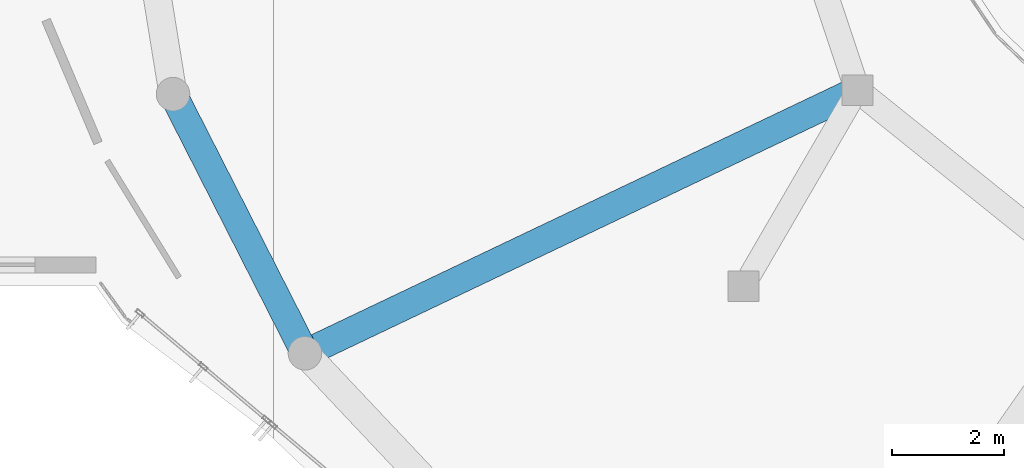
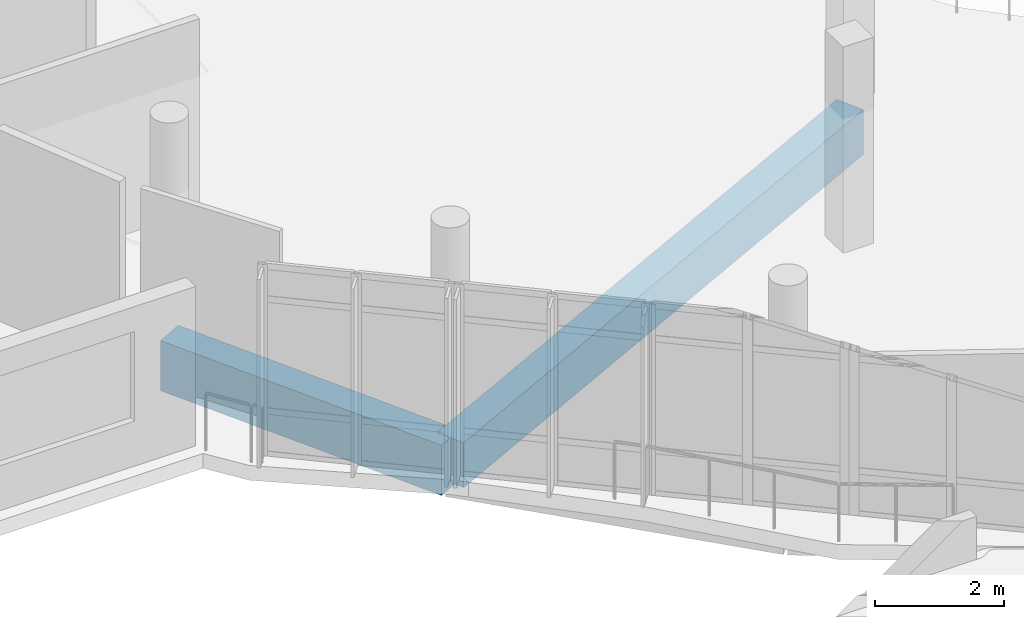
# One storey, part 8 of 74: 2 beams.
"""IFC4 building model written with IfcOpenShell, lengths in metres."""

from ifc_helpers import new_model, si_unit, derived_unit, direction, frame, origin, origin_2d, place, context, subcontext, project, spatial, rectangle, extrude, material, material_profile, profile_set, type_object, element, save


model = new_model("IFC4")

# Units and contexts
model_context = context("Model", 3, precision=1e-05, world=origin(), true_north=direction((0.0, 1.0)))
body_context = subcontext(model_context, "Body", "Model", "MODEL_VIEW")
ifc_project = project(units=[si_unit("LENGTHUNIT", "METRE"), si_unit("AREAUNIT", "SQUARE_METRE"), si_unit("VOLUMEUNIT", "CUBIC_METRE"), si_unit("PLANEANGLEUNIT", "RADIAN"), si_unit("MASSUNIT", "GRAM", prefix="KILO"), derived_unit("THERMALTRANSMITTANCEUNIT", [(si_unit("POWERUNIT", "WATT"), 1), (si_unit("LENGTHUNIT", "METRE"), -2), (si_unit("THERMODYNAMICTEMPERATUREUNIT", "KELVIN"), -1)])], contexts=[model_context])

# Site, building, storey
site_placement = place(None, origin())
site = spatial("IfcSite", under=ifc_project, at=site_placement, CompositionType="ELEMENT")
building_placement = place(site_placement, origin())
building = spatial("IfcBuilding", under=site, at=building_placement, Name="Elbkamm Science Centre", CompositionType="ELEMENT")
storey_placement = place(building_placement, frame((0.0, 0.0, 14.39990234375)))
storey = spatial("IfcBuildingStorey", under=building, at=storey_placement, Name="L03", CompositionType="ELEMENT", Elevation=14.39990234375)

# Beams
ifc_material = material(Name="Concrete C40/50", Category="concrete")
ifc_material_profile_1 = material_profile(ifc_material, rectangle(XDim=0.5, YDim=0.85009765625, at=origin_2d()), Name="RC 500x850")
ifc_profile_set_1 = profile_set([ifc_material_profile_1], Name="Concrete C40/50")
beam_type_1 = type_object("IfcBeamType", Name="BM-RC-500x850", PredefinedType="BEAM", material=ifc_profile_set_1)
beam_1_placement = place(storey_placement, frame((52.43408203125, 62.300048828125, -0.704833984375), z_axis=(-0.902897249077, -0.429856438371, 0.0), x_axis=(0.429856438371, -0.902897249077, 0.0)))
element("IfcBeam", 1, at=beam_1_placement, inside=storey, type_object=beam_type_1, Name="L03 Elliptical Radial Girder 08", PredefinedType="BEAM", context=body_context, shape_type="SweptSolid", body=[
    extrude(rectangle(XDim=0.5, YDim=0.85009765625, at=origin_2d()), origin(), (0.0, 0.0, 1.0), 10.933837890625),
])
ifc_material_profile_2 = material_profile(ifc_material, rectangle(XDim=0.5, YDim=0.949951171875, at=origin_2d()), Name="RC 500x950")
ifc_profile_set_2 = profile_set([ifc_material_profile_2], Name="Concrete C40/50")
beam_type_2 = type_object("IfcBeamType", Name="BM-RC-500x950", PredefinedType="BEAM", material=ifc_profile_set_2)
beam_2_placement = place(storey_placement, frame((40.2041015625, 62.23095703125, -0.7548828125), z_axis=(0.45374138036, -0.891133412991, 0.0), x_axis=(0.891133412991, 0.45374138036, 0.0)))
element("IfcBeam", 2, at=beam_2_placement, inside=storey, type_object=beam_type_2, Name="L03 Elliptical Shell Perimeter Ring Beam 14", PredefinedType="SPANDREL", context=body_context, shape_type="SweptSolid", body=[
    extrude(rectangle(XDim=0.5, YDim=0.949951171875, at=origin_2d()), origin(), (0.0, 0.0, 1.0), 5.196533203125),
])

save(model, "model.ifc")
